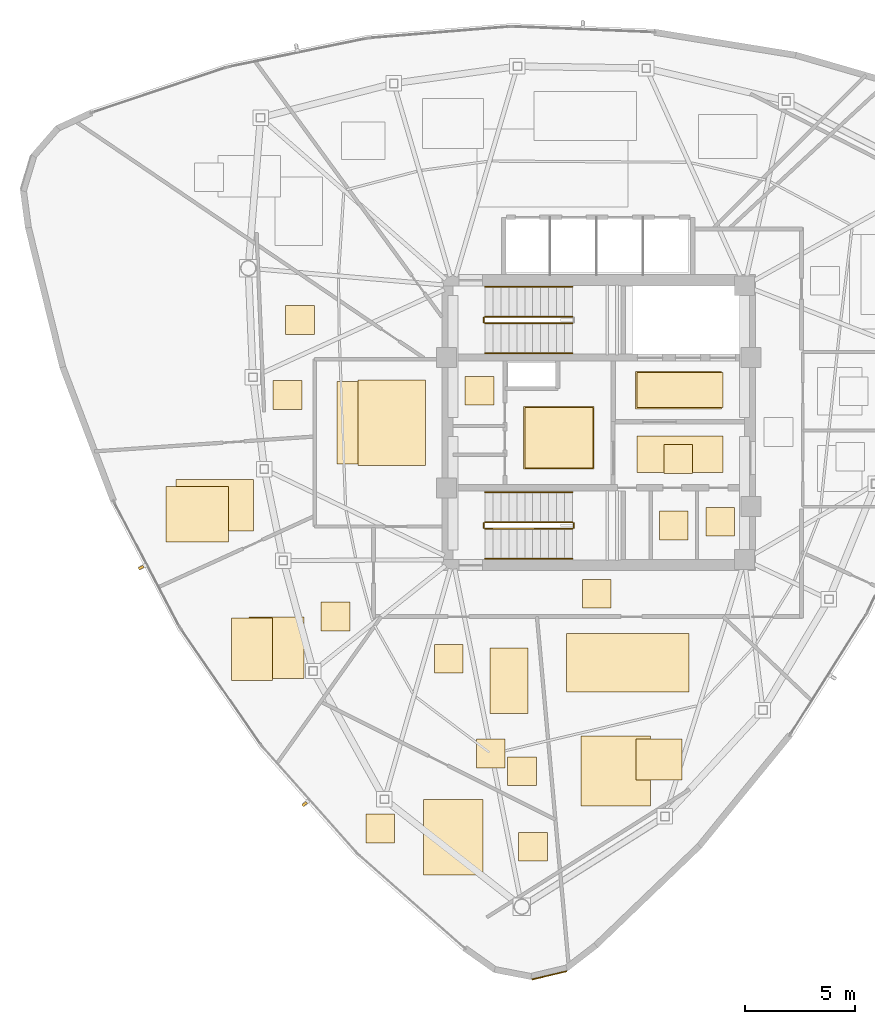
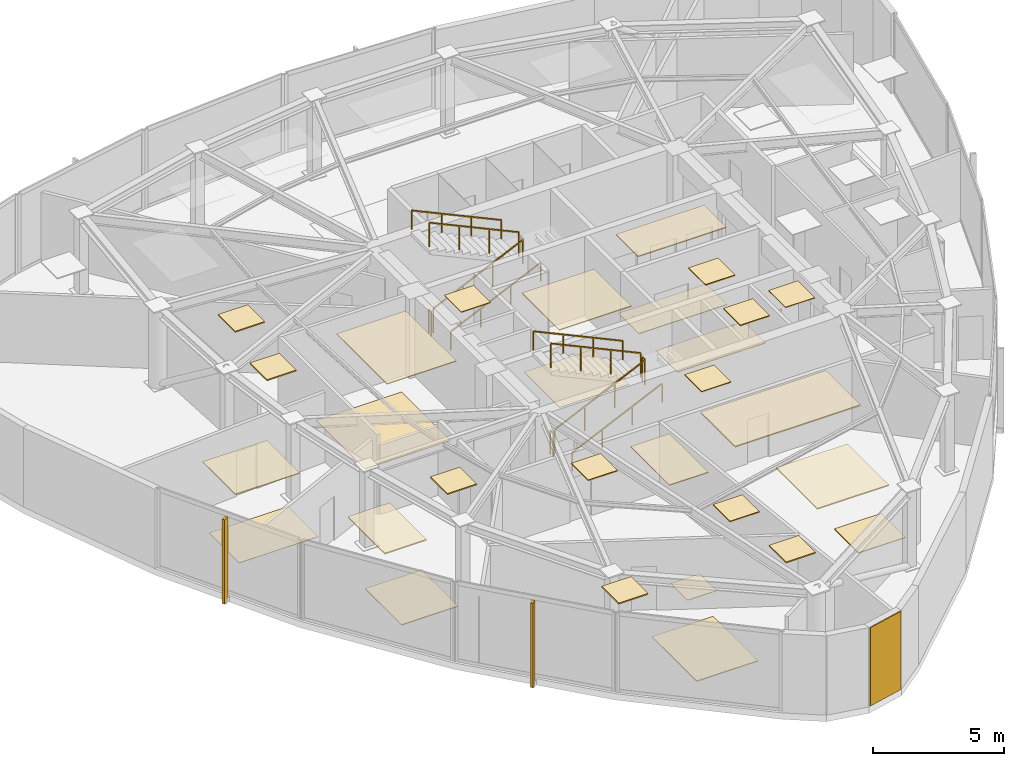
# One storey, part 11 of 13: 30 coverings, 11 railings, 2 shading devices.
"""IFC4 building model written with IfcOpenShell, lengths in metres."""

from ifc_helpers import new_model, si_unit, direction, frame, origin, origin_2d, place, context, subcontext, project, spatial, polyline, rectangle, outline, extrude, source, transform, mapped, material, layer, layer_set, type_object, type_shapes, element, save


model = new_model("IFC4")

# Units and contexts
model_context = context("Model", 3, precision=1e-05, world=origin(), true_north=direction((0.0, 1.0)))
body_context = subcontext(model_context, "Body", "Model", "MODEL_VIEW")
ifc_project = project(units=[si_unit("LENGTHUNIT", "METRE"), si_unit("AREAUNIT", "SQUARE_METRE"), si_unit("VOLUMEUNIT", "CUBIC_METRE"), si_unit("PLANEANGLEUNIT", "RADIAN"), si_unit("MASSUNIT", "GRAM", prefix="KILO")], contexts=[model_context])

# Site, building, storey
site_placement = place(None, origin())
site = spatial("IfcSite", under=ifc_project, at=site_placement, CompositionType="ELEMENT")
building_placement = place(site_placement, origin())
building = spatial("IfcBuilding", under=site, at=building_placement, Name="Tavelor Broadcast Tower", CompositionType="ELEMENT")
storey_placement = place(building_placement, frame((0.0, 0.0, 301.5)))
storey = spatial("IfcBuildingStorey", under=building, at=storey_placement, Name="L72", CompositionType="ELEMENT", Elevation=301.5)

# Coverings
ifc_material_1 = material(Name="Copper-Bronze Anodized Aluminium", Category="aluminium")
ifc_layer_1 = layer(ifc_material_1, 0.044921875)
ifc_layer_set_1 = layer_set([ifc_layer_1], Name="Copper-Bronze Anodized Aluminium")
covering_type_1 = type_object("IfcCoveringType", Name="Anodised Bronze Linear Slatted Concourse Ceiling 45 mm", PredefinedType="CEILING", material=ifc_layer_set_1)
covering_1_placement = place(storey_placement, frame((0.0, 0.0, 3.655029296875)))
element("IfcCovering", 1, at=covering_1_placement, inside=storey, type_object=covering_type_1, Name="L72 Suspended Acoustic Ceiling 2731", PredefinedType="CEILING", context=body_context, shape_type="SweptSolid", body=[
    extrude(outline(polyline([(51.659912109375, 45.6318359375), (55.55712890625, 45.6318359375), (55.55712890625, 47.328125), (51.659912109375, 47.328125), (51.659912109375, 45.6318359375)])), origin(), (0.0, 0.0, 1.0), 0.044921875),
])
covering_2_placement = place(storey_placement, frame((0.0, 0.0, 3.655029296875)))
element("IfcCovering", 2, at=covering_2_placement, inside=storey, type_object=covering_type_1, Name="L72 Suspended Acoustic Ceiling 2732", PredefinedType="CEILING", context=body_context, shape_type="SweptSolid", body=[
    extrude(outline(polyline([(52.95361328125, 42.705078125), (54.25341796875, 42.705078125), (54.25341796875, 44.0048828125), (52.95361328125, 44.0048828125), (52.95361328125, 42.705078125)])), origin(), (0.0, 0.0, 1.0), 0.044921875),
])
ifc_layer_2 = layer(ifc_material_1, 0.050048828125)
ifc_layer_set_2 = layer_set([ifc_layer_2], Name="Copper-Bronze Anodized Aluminium")
covering_type_2 = type_object("IfcCoveringType", Name="Champagne-Bronze Corner Pier Metal Cladding 50 mm", PredefinedType="CLADDING", material=ifc_layer_set_2)
covering_3_placement = place(storey_placement, frame((47.7607421875, 19.980712890625, 0.02001953125), z_axis=(0.0, 0.0, 1.0), x_axis=(0.972977745976, 0.230898908261, 0.0)))
element("IfcCovering", 3, at=covering_3_placement, inside=storey, type_object=covering_type_2, Name="L72 Champagne-Bronze Corner Cladding 13", PredefinedType="CLADDING", context=body_context, shape_type="SweptSolid", body=[
    extrude(rectangle(XDim=1.611572265625, YDim=0.050048828125, at=origin_2d()), origin(), (0.0, 0.0, 1.0), 3.659912109375),
])

# Railings
ifc_material_2 = material(Name="Steel S355", Category="steel")
railing_type_1 = type_object("IfcRailingType", Name="Continuous Brushed Stainless Handrail 900 mm", PredefinedType="HANDRAIL", material=ifc_material_2)
railing_1_placement = place(storey_placement, frame((44.85009765625, 48.14990234375, 0.166748046875)))
element("IfcRailing", 4, at=railing_1_placement, inside=storey, type_object=railing_type_1, Name="L72 ST1 stair handrail 1", PredefinedType="HANDRAIL", context=body_context, shape_type="SweptSolid", body=[
    extrude(rectangle(XDim=0.048095703125, YDim=0.048095703125, at=origin_2d()), frame((0.0, 0.0, 0.8759765625), z_axis=(0.907472437036, 0.0, 0.420111623286), x_axis=(0.0, 1.0, 0.0)), (0.0, 0.0, 1.0), 4.36376953125),
    extrude(rectangle(XDim=0.0419921875, YDim=0.0419921875, at=origin_2d()), origin(), (0.0, 0.0, 1.0), 0.851806640625),
    extrude(rectangle(XDim=0.0419921875, YDim=0.0419921875, at=origin_2d()), frame((1.320068359375, 0.0, 0.611083984375)), (0.0, 0.0, 1.0), 0.851806640625),
    extrude(rectangle(XDim=0.0419921875, YDim=0.0419921875, at=origin_2d()), frame((2.639892578125, 0.0, 1.22216796875)), (0.0, 0.0, 1.0), 0.851806640625),
    extrude(rectangle(XDim=0.0419921875, YDim=0.0419921875, at=origin_2d()), frame((3.9599609375, 0.0, 1.833251953125)), (0.0, 0.0, 1.0), 0.851806640625),
])
railing_2_placement = place(storey_placement, frame((48.81005859375, 51.14990234375, 2.166748046875)))
element("IfcRailing", 5, at=railing_2_placement, inside=storey, type_object=railing_type_1, Name="L72 ST1 stair handrail 2", PredefinedType="HANDRAIL", context=body_context, shape_type="SweptSolid", body=[
    extrude(rectangle(XDim=0.048095703125, YDim=0.048095703125, at=origin_2d()), frame((0.0, 0.0, 0.8759765625), z_axis=(-0.907472437036, 0.0, 0.420111623286), x_axis=(0.0, -1.0, 0.0)), (0.0, 0.0, 1.0), 4.36376953125),
    extrude(rectangle(XDim=0.0419921875, YDim=0.0419921875, at=origin_2d()), origin(), (0.0, 0.0, 1.0), 0.851806640625),
    extrude(rectangle(XDim=0.0419921875, YDim=0.0419921875, at=origin_2d()), frame((-1.320068359375, 0.0, 0.611083984375)), (0.0, 0.0, 1.0), 0.851806640625),
    extrude(rectangle(XDim=0.0419921875, YDim=0.0419921875, at=origin_2d()), frame((-2.639892578125, 0.0, 1.22216796875)), (0.0, 0.0, 1.0), 0.851806640625),
    extrude(rectangle(XDim=0.0419921875, YDim=0.0419921875, at=origin_2d()), frame((-3.9599609375, 0.0, 1.833251953125)), (0.0, 0.0, 1.0), 0.851806640625),
])
railing_3_placement = place(storey_placement, frame((44.85009765625, 38.85009765625, 0.166748046875)))
element("IfcRailing", 6, at=railing_3_placement, inside=storey, type_object=railing_type_1, Name="L72 ST2 stair handrail 1", PredefinedType="HANDRAIL", context=body_context, shape_type="SweptSolid", body=[
    extrude(rectangle(XDim=0.048095703125, YDim=0.048095703125, at=origin_2d()), frame((0.0, 0.0, 0.8759765625), z_axis=(0.907472437036, 0.0, 0.420111623286), x_axis=(0.0, 1.0, 0.0)), (0.0, 0.0, 1.0), 4.36376953125),
    extrude(rectangle(XDim=0.0419921875, YDim=0.0419921875, at=origin_2d()), origin(), (0.0, 0.0, 1.0), 0.851806640625),
    extrude(rectangle(XDim=0.0419921875, YDim=0.0419921875, at=origin_2d()), frame((1.320068359375, 0.0, 0.611083984375)), (0.0, 0.0, 1.0), 0.851806640625),
    extrude(rectangle(XDim=0.0419921875, YDim=0.0419921875, at=origin_2d()), frame((2.639892578125, 0.0, 1.22216796875)), (0.0, 0.0, 1.0), 0.851806640625),
    extrude(rectangle(XDim=0.0419921875, YDim=0.0419921875, at=origin_2d()), frame((3.9599609375, 0.0, 1.833251953125)), (0.0, 0.0, 1.0), 0.851806640625),
])
railing_4_placement = place(storey_placement, frame((48.81005859375, 41.85009765625, 2.166748046875)))
element("IfcRailing", 7, at=railing_4_placement, inside=storey, type_object=railing_type_1, Name="L72 ST2 stair handrail 2", PredefinedType="HANDRAIL", context=body_context, shape_type="SweptSolid", body=[
    extrude(rectangle(XDim=0.048095703125, YDim=0.048095703125, at=origin_2d()), frame((0.0, 0.0, 0.8759765625), z_axis=(-0.907472437036, 0.0, 0.420111623286), x_axis=(0.0, -1.0, 0.0)), (0.0, 0.0, 1.0), 4.36376953125),
    extrude(rectangle(XDim=0.0419921875, YDim=0.0419921875, at=origin_2d()), origin(), (0.0, 0.0, 1.0), 0.851806640625),
    extrude(rectangle(XDim=0.0419921875, YDim=0.0419921875, at=origin_2d()), frame((-1.320068359375, 0.0, 0.611083984375)), (0.0, 0.0, 1.0), 0.851806640625),
    extrude(rectangle(XDim=0.0419921875, YDim=0.0419921875, at=origin_2d()), frame((-2.639892578125, 0.0, 1.22216796875)), (0.0, 0.0, 1.0), 0.851806640625),
    extrude(rectangle(XDim=0.0419921875, YDim=0.0419921875, at=origin_2d()), frame((-3.9599609375, 0.0, 1.833251953125)), (0.0, 0.0, 1.0), 0.851806640625),
])

# Coverings
ifc_material_3 = material(Name="Architectural Anodized Aluminium", Category="aluminium")
ifc_layer_3 = layer(ifc_material_3, 0.034912109375)
ifc_layer_set_3 = layer_set([ifc_layer_3], Name="Architectural Anodized Aluminium")
covering_type_3 = type_object("IfcCoveringType", Name="Demountable Metal Tile Corridor Ceiling 35 mm", PredefinedType="CEILING", material=ifc_layer_set_3)
covering_4_placement = place(storey_placement, frame((0.0, 0.0, 3.6650390625)))
element("IfcCovering", 8, at=covering_4_placement, inside=storey, type_object=covering_type_3, Name="L72 Suspended Acoustic Ceiling 2738", PredefinedType="CEILING", context=body_context, shape_type="SweptSolid", body=[
    extrude(outline(polyline([(49.261474609375, 36.610107421875), (50.5615234375, 36.610107421875), (50.5615234375, 37.909912109375), (49.261474609375, 37.909912109375), (49.261474609375, 36.610107421875)])), origin(), (0.0, 0.0, 1.0), 0.034912109375),
])
ifc_material_4 = material(Name="Acoustic Nylon Carpet Tile")
ifc_layer_4 = layer(ifc_material_4, 0.02001953125)
ifc_layer_set_4 = layer_set([ifc_layer_4], Name="Acoustic Nylon Carpet Tile")
covering_type_4 = type_object("IfcCoveringType", Name="Heavy-Duty Acoustic Broadcast Carpet Tile 20 mm", PredefinedType="FLOORING", material=ifc_layer_set_4)
covering_5_placement = place(storey_placement, origin())
element("IfcCovering", 9, at=covering_5_placement, inside=storey, type_object=covering_type_4, Name="L72 Broadcast Floor Finish 1071", PredefinedType="FLOORING", context=body_context, shape_type="SweptSolid", body=[
    extrude(outline(polyline([(46.6591796875, 42.953369140625), (49.730712890625, 42.953369140625), (49.730712890625, 45.6865234375), (46.6591796875, 45.6865234375), (46.6591796875, 42.953369140625)])), origin(), (0.0, 0.0, 1.0), 0.02001953125),
])
covering_6_placement = place(storey_placement, origin())
element("IfcCovering", 10, at=covering_6_placement, inside=storey, type_object=covering_type_4, Name="L72 Broadcast Floor Finish 1073", PredefinedType="FLOORING", context=body_context, shape_type="SweptSolid", body=[
    extrude(outline(polyline([(38.15771484375, 43.12890625), (41.942138671875, 43.12890625), (41.942138671875, 46.87060546875), (38.15771484375, 46.87060546875), (38.15771484375, 43.12890625)])), origin(), (0.0, 0.0, 1.0), 0.02001953125),
])
covering_7_placement = place(storey_placement, origin())
element("IfcCovering", 11, at=covering_7_placement, inside=storey, type_object=covering_type_4, Name="L72 Broadcast Floor Finish 1079", PredefinedType="FLOORING", context=body_context, shape_type="SweptSolid", body=[
    extrude(outline(polyline([(30.86328125, 40.106689453125), (34.362060546875, 40.106689453125), (34.362060546875, 42.42919921875), (30.86328125, 42.42919921875), (30.86328125, 40.106689453125)])), origin(), (0.0, 0.0, 1.0), 0.02001953125),
])
covering_8_placement = place(storey_placement, origin())
element("IfcCovering", 12, at=covering_8_placement, inside=storey, type_object=covering_type_4, Name="L72 Broadcast Floor Finish 1083", PredefinedType="FLOORING", context=body_context, shape_type="SweptSolid", body=[
    extrude(outline(polyline([(44.461181640625, 29.37890625), (45.76123046875, 29.37890625), (45.76123046875, 30.678955078125), (44.461181640625, 30.678955078125), (44.461181640625, 29.37890625)])), origin(), (0.0, 0.0, 1.0), 0.02001953125),
])
ifc_material_5 = material(Name="Honed Natural Limestone Tile", Category="masonry")
ifc_layer_5 = layer(ifc_material_5, 0.030029296875)
ifc_layer_set_5 = layer_set([ifc_layer_5], Name="Honed Natural Limestone Tile")
covering_type_5 = type_object("IfcCoveringType", Name="Honed Jerusalem Limestone Concourse Flooring 30 mm", PredefinedType="FLOORING", material=ifc_layer_set_5)
covering_9_placement = place(storey_placement, origin())
element("IfcCovering", 13, at=covering_9_placement, inside=storey, type_object=covering_type_5, Name="L72 Broadcast Floor Finish 1069", PredefinedType="FLOORING", context=body_context, shape_type="SweptSolid", body=[
    extrude(outline(polyline([(51.7373046875, 45.689453125), (55.62255859375, 45.689453125), (55.62255859375, 47.2705078125), (51.7373046875, 47.2705078125), (51.7373046875, 45.689453125)])), origin(), (0.0, 0.0, 1.0), 0.030029296875),
])
covering_10_placement = place(storey_placement, origin())
element("IfcCovering", 14, at=covering_10_placement, inside=storey, type_object=covering_type_5, Name="L72 Broadcast Floor Finish 1070", PredefinedType="FLOORING", context=body_context, shape_type="SweptSolid", body=[
    extrude(outline(polyline([(51.728759765625, 42.743408203125), (55.62109375, 42.743408203125), (55.62109375, 44.396484375), (51.728759765625, 44.396484375), (51.728759765625, 42.743408203125)])), origin(), (0.0, 0.0, 1.0), 0.030029296875),
])
ifc_material_6 = material(Name="Acoustic Hardwood Studio Flooring", Category="wood")
ifc_layer_6 = layer(ifc_material_6, 0.034912109375)
ifc_layer_set_6 = layer_set([ifc_layer_6], Name="Acoustic Hardwood Studio Flooring")
covering_type_6 = type_object("IfcCoveringType", Name="Isolated Studio Acoustic Elastomeric Floor Finish 35 mm", PredefinedType="FLOORING", material=ifc_layer_set_6)
covering_11_placement = place(storey_placement, origin())
element("IfcCovering", 15, at=covering_11_placement, inside=storey, type_object=covering_type_6, Name="L72 Broadcast Floor Finish 1076", PredefinedType="FLOORING", context=body_context, shape_type="SweptSolid", body=[
    extrude(outline(polyline([(51.693115234375, 28.8330078125), (53.765869140625, 28.8330078125), (53.765869140625, 30.67919921875), (51.693115234375, 30.67919921875), (51.693115234375, 28.8330078125)])), origin(), (0.0, 0.0, 1.0), 0.034912109375),
])
covering_12_placement = place(storey_placement, origin())
element("IfcCovering", 16, at=covering_12_placement, inside=storey, type_object=covering_type_6, Name="L72 Broadcast Floor Finish 1077", PredefinedType="FLOORING", context=body_context, shape_type="SweptSolid", body=[
    extrude(outline(polyline([(42.065185546875, 24.5244140625), (44.769287109375, 24.5244140625), (44.769287109375, 27.95068359375), (42.065185546875, 27.95068359375), (42.065185546875, 24.5244140625)])), origin(), (0.0, 0.0, 1.0), 0.034912109375),
])
covering_13_placement = place(storey_placement, origin())
element("IfcCovering", 17, at=covering_13_placement, inside=storey, type_object=covering_type_6, Name="L72 Broadcast Floor Finish 1078", PredefinedType="FLOORING", context=body_context, shape_type="SweptSolid", body=[
    extrude(outline(polyline([(34.169677734375, 33.415283203125), (36.665771484375, 33.415283203125), (36.665771484375, 36.20947265625), (34.169677734375, 36.20947265625), (34.169677734375, 33.415283203125)])), origin(), (0.0, 0.0, 1.0), 0.034912109375),
])
ifc_material_7 = material(Name="Acoustic Perforated Timber Baffle", Category="wood")
ifc_layer_7 = layer(ifc_material_7, 0.054931640625)
ifc_layer_set_7 = layer_set([ifc_layer_7], Name="Acoustic Perforated Timber Baffle")
covering_type_7 = type_object("IfcCoveringType", Name="Micro-Perforated Acoustic Baffle Studio Ceiling 55 mm", PredefinedType="CEILING", material=ifc_layer_set_7)
covering_14_placement = place(storey_placement, frame((0.0, 0.0, 3.64501953125)))
element("IfcCovering", 18, at=covering_14_placement, inside=storey, type_object=covering_type_7, Name="L72 Suspended Acoustic Ceiling 2742", PredefinedType="CEILING", context=body_context, shape_type="SweptSolid", body=[
    extrude(outline(polyline([(49.193115234375, 27.646728515625), (52.347900390625, 27.646728515625), (52.347900390625, 30.807373046875), (49.193115234375, 30.807373046875), (49.193115234375, 27.646728515625)])), origin(), (0.0, 0.0, 1.0), 0.054931640625),
])
covering_15_placement = place(storey_placement, frame((0.0, 0.0, 3.64501953125)))
element("IfcCovering", 19, at=covering_15_placement, inside=storey, type_object=covering_type_7, Name="L72 Suspended Acoustic Ceiling 2743", PredefinedType="CEILING", context=body_context, shape_type="SweptSolid", body=[
    extrude(outline(polyline([(48.537353515625, 32.802978515625), (54.078857421875, 32.802978515625), (54.078857421875, 35.45703125), (48.537353515625, 35.45703125), (48.537353515625, 32.802978515625)])), origin(), (0.0, 0.0, 1.0), 0.054931640625),
])
covering_16_placement = place(storey_placement, frame((0.0, 0.0, 3.64501953125)))
element("IfcCovering", 20, at=covering_16_placement, inside=storey, type_object=covering_type_7, Name="L72 Suspended Acoustic Ceiling 2744", PredefinedType="CEILING", context=body_context, shape_type="SweptSolid", body=[
    extrude(outline(polyline([(39.462158203125, 25.9794921875), (40.76220703125, 25.9794921875), (40.76220703125, 27.279541015625), (39.462158203125, 27.279541015625), (39.462158203125, 25.9794921875)])), origin(), (0.0, 0.0, 1.0), 0.054931640625),
])
covering_17_placement = place(storey_placement, frame((0.0, 0.0, 3.64501953125)))
element("IfcCovering", 21, at=covering_17_placement, inside=storey, type_object=covering_type_7, Name="L72 Suspended Acoustic Ceiling 2745", PredefinedType="CEILING", context=body_context, shape_type="SweptSolid", body=[
    extrude(outline(polyline([(46.37255859375, 25.149169921875), (47.672607421875, 25.149169921875), (47.672607421875, 26.44921875), (46.37255859375, 26.44921875), (46.37255859375, 25.149169921875)])), origin(), (0.0, 0.0, 1.0), 0.054931640625),
])
covering_18_placement = place(storey_placement, frame((0.0, 0.0, 3.64501953125)))
element("IfcCovering", 22, at=covering_18_placement, inside=storey, type_object=covering_type_7, Name="L72 Suspended Acoustic Ceiling 2746", PredefinedType="CEILING", context=body_context, shape_type="SweptSolid", body=[
    extrude(outline(polyline([(33.376708984375, 33.329345703125), (35.229736328125, 33.329345703125), (35.229736328125, 36.158447265625), (33.376708984375, 36.158447265625), (33.376708984375, 33.329345703125)])), origin(), (0.0, 0.0, 1.0), 0.054931640625),
])
covering_19_placement = place(storey_placement, frame((0.0, 0.0, 3.64501953125)))
element("IfcCovering", 23, at=covering_19_placement, inside=storey, type_object=covering_type_7, Name="L72 Suspended Acoustic Ceiling 2747", PredefinedType="CEILING", context=body_context, shape_type="SweptSolid", body=[
    extrude(outline(polyline([(37.435546875, 35.577392578125), (38.735595703125, 35.577392578125), (38.735595703125, 36.877197265625), (37.435546875, 36.877197265625), (37.435546875, 35.577392578125)])), origin(), (0.0, 0.0, 1.0), 0.054931640625),
])
covering_20_placement = place(storey_placement, frame((0.0, 0.0, 3.64501953125)))
element("IfcCovering", 24, at=covering_20_placement, inside=storey, type_object=covering_type_7, Name="L72 Suspended Acoustic Ceiling 2749", PredefinedType="CEILING", context=body_context, shape_type="SweptSolid", body=[
    extrude(outline(polyline([(35.8232421875, 49.002197265625), (37.123291015625, 49.002197265625), (37.123291015625, 50.30224609375), (35.8232421875, 50.30224609375), (35.8232421875, 49.002197265625)])), origin(), (0.0, 0.0, 1.0), 0.054931640625),
])
covering_21_placement = place(storey_placement, frame((0.0, 0.0, 3.64501953125)))
element("IfcCovering", 25, at=covering_21_placement, inside=storey, type_object=covering_type_7, Name="L72 Suspended Acoustic Ceiling 2750", PredefinedType="CEILING", context=body_context, shape_type="SweptSolid", body=[
    extrude(outline(polyline([(35.258056640625, 45.60009765625), (36.55810546875, 45.60009765625), (36.55810546875, 46.900146484375), (35.258056640625, 46.900146484375), (35.258056640625, 45.60009765625)])), origin(), (0.0, 0.0, 1.0), 0.054931640625),
])
ifc_layer_8 = layer(ifc_material_3, 0.030029296875)
ifc_layer_set_8 = layer_set([ifc_layer_8], Name="Architectural Anodized Aluminium")
covering_type_8 = type_object("IfcCoveringType", Name="Moisture-Resistant Washroom Ceiling 30 mm", PredefinedType="CEILING", material=ifc_layer_set_8)
covering_22_placement = place(storey_placement, frame((0.0, 0.0, 3.669921875)))
element("IfcCovering", 26, at=covering_22_placement, inside=storey, type_object=covering_type_8, Name="L72 Suspended Acoustic Ceiling 2735", PredefinedType="CEILING", context=body_context, shape_type="SweptSolid", body=[
    extrude(outline(polyline([(54.843505859375, 39.866455078125), (56.1435546875, 39.866455078125), (56.1435546875, 41.16650390625), (54.843505859375, 41.16650390625), (54.843505859375, 39.866455078125)])), origin(), (0.0, 0.0, 1.0), 0.030029296875),
])
covering_23_placement = place(storey_placement, frame((0.0, 0.0, 3.669921875)))
element("IfcCovering", 27, at=covering_23_placement, inside=storey, type_object=covering_type_8, Name="L72 Suspended Acoustic Ceiling 2736", PredefinedType="CEILING", context=body_context, shape_type="SweptSolid", body=[
    extrude(outline(polyline([(43.951416015625, 45.794921875), (45.25146484375, 45.794921875), (45.25146484375, 47.094970703125), (43.951416015625, 47.094970703125), (43.951416015625, 45.794921875)])), origin(), (0.0, 0.0, 1.0), 0.030029296875),
])

# Railings
railing_type_2 = type_object("IfcRailingType", Name="Stairwell Steel Safety Guardrail 1150 mm", PredefinedType="GUARDRAIL", material=ifc_material_2)
railing_5_placement = place(storey_placement, frame((44.85009765625, 49.5, 0.166748046875)))
element("IfcRailing", 28, at=railing_5_placement, inside=storey, type_object=railing_type_2, Name="L72 ST1 stair guard 1", PredefinedType="GUARDRAIL", context=body_context, shape_type="SweptSolid", body=[
    extrude(rectangle(XDim=0.048095703125, YDim=0.048095703125, at=origin_2d()), frame((0.0, 0.0, 1.1259765625), z_axis=(0.907472437036, 0.0, 0.420111623286), x_axis=(0.0, 1.0, 0.0)), (0.0, 0.0, 1.0), 4.36376953125),
    extrude(rectangle(XDim=0.0419921875, YDim=0.0419921875, at=origin_2d()), origin(), (0.0, 0.0, 1.0), 1.101806640625),
    extrude(rectangle(XDim=0.0419921875, YDim=0.0419921875, at=origin_2d()), frame((1.320068359375, 0.0, 0.611083984375)), (0.0, 0.0, 1.0), 1.101806640625),
    extrude(rectangle(XDim=0.0419921875, YDim=0.0419921875, at=origin_2d()), frame((2.639892578125, 0.0, 1.22216796875)), (0.0, 0.0, 1.0), 1.101806640625),
    extrude(rectangle(XDim=0.0419921875, YDim=0.0419921875, at=origin_2d()), frame((3.9599609375, 0.0, 1.833251953125)), (0.0, 0.0, 1.0), 1.101806640625),
])
railing_6_placement = place(storey_placement, frame((48.81005859375, 49.800048828125, 2.166748046875)))
element("IfcRailing", 29, at=railing_6_placement, inside=storey, type_object=railing_type_2, Name="L72 ST1 stair guard 3", PredefinedType="GUARDRAIL", context=body_context, shape_type="SweptSolid", body=[
    extrude(rectangle(XDim=0.048095703125, YDim=0.048095703125, at=origin_2d()), frame((0.0, 0.0, 1.1259765625), z_axis=(-0.907472437036, 0.0, 0.420111623286), x_axis=(0.0, -1.0, 0.0)), (0.0, 0.0, 1.0), 4.36376953125),
    extrude(rectangle(XDim=0.0419921875, YDim=0.0419921875, at=origin_2d()), origin(), (0.0, 0.0, 1.0), 1.101806640625),
    extrude(rectangle(XDim=0.0419921875, YDim=0.0419921875, at=origin_2d()), frame((-1.320068359375, 0.0, 0.611083984375)), (0.0, 0.0, 1.0), 1.101806640625),
    extrude(rectangle(XDim=0.0419921875, YDim=0.0419921875, at=origin_2d()), frame((-2.639892578125, 0.0, 1.22216796875)), (0.0, 0.0, 1.0), 1.101806640625),
    extrude(rectangle(XDim=0.0419921875, YDim=0.0419921875, at=origin_2d()), frame((-3.9599609375, 0.0, 1.833251953125)), (0.0, 0.0, 1.0), 1.101806640625),
])
railing_7_placement = place(storey_placement, frame((44.800048828125, 49.550048828125, 0.0)))
element("IfcRailing", 30, at=railing_7_placement, inside=storey, type_object=railing_type_2, Name="L72 ST1 stair guard 4", PredefinedType="GUARDRAIL", context=body_context, shape_type="SweptSolid", body=[
    extrude(rectangle(XDim=0.048095703125, YDim=0.048095703125, at=origin_2d()), frame((0.0, 0.0, 1.1259765625), z_axis=(0.0, 1.0, 0.0), x_axis=(-1.0, 0.0, 0.0)), (0.0, 0.0, 1.0), 0.199951171875),
    extrude(rectangle(XDim=0.0419921875, YDim=0.0419921875, at=origin_2d()), origin(), (0.0, 0.0, 1.0), 1.101806640625),
    extrude(rectangle(XDim=0.0419921875, YDim=0.0419921875, at=origin_2d()), frame((0.0, 0.199951171875, 0.0)), (0.0, 0.0, 1.0), 1.101806640625),
])
railing_8_placement = place(storey_placement, frame((44.85009765625, 40.199951171875, 0.166748046875)))
element("IfcRailing", 31, at=railing_8_placement, inside=storey, type_object=railing_type_2, Name="L72 ST2 stair guard 1", PredefinedType="GUARDRAIL", context=body_context, shape_type="SweptSolid", body=[
    extrude(rectangle(XDim=0.048095703125, YDim=0.048095703125, at=origin_2d()), frame((0.0, 0.0, 1.1259765625), z_axis=(0.907472437036, 0.0, 0.420111623286), x_axis=(0.0, 1.0, 0.0)), (0.0, 0.0, 1.0), 4.36376953125),
    extrude(rectangle(XDim=0.0419921875, YDim=0.0419921875, at=origin_2d()), origin(), (0.0, 0.0, 1.0), 1.101806640625),
    extrude(rectangle(XDim=0.0419921875, YDim=0.0419921875, at=origin_2d()), frame((1.320068359375, 0.0, 0.611083984375)), (0.0, 0.0, 1.0), 1.101806640625),
    extrude(rectangle(XDim=0.0419921875, YDim=0.0419921875, at=origin_2d()), frame((2.639892578125, 0.0, 1.22216796875)), (0.0, 0.0, 1.0), 1.101806640625),
    extrude(rectangle(XDim=0.0419921875, YDim=0.0419921875, at=origin_2d()), frame((3.9599609375, 0.0, 1.833251953125)), (0.0, 0.0, 1.0), 1.101806640625),
])
railing_9_placement = place(storey_placement, frame((48.860107421875, 40.25, 2.0)))
element("IfcRailing", 32, at=railing_9_placement, inside=storey, type_object=railing_type_2, Name="L72 ST2 stair guard 2", PredefinedType="GUARDRAIL", context=body_context, shape_type="SweptSolid", body=[
    extrude(rectangle(XDim=0.048095703125, YDim=0.048095703125, at=origin_2d()), frame((0.0, 0.0, 1.1259765625), z_axis=(0.0, 1.0, 0.0), x_axis=(-1.0, 0.0, 0.0)), (0.0, 0.0, 1.0), 0.199951171875),
    extrude(rectangle(XDim=0.0419921875, YDim=0.0419921875, at=origin_2d()), origin(), (0.0, 0.0, 1.0), 1.101806640625),
    extrude(rectangle(XDim=0.0419921875, YDim=0.0419921875, at=origin_2d()), frame((0.0, 0.199951171875, 0.0)), (0.0, 0.0, 1.0), 1.101806640625),
])
railing_10_placement = place(storey_placement, frame((48.81005859375, 40.5, 2.166748046875)))
element("IfcRailing", 33, at=railing_10_placement, inside=storey, type_object=railing_type_2, Name="L72 ST2 stair guard 3", PredefinedType="GUARDRAIL", context=body_context, shape_type="SweptSolid", body=[
    extrude(rectangle(XDim=0.048095703125, YDim=0.048095703125, at=origin_2d()), frame((0.0, 0.0, 1.1259765625), z_axis=(-0.907472437036, 0.0, 0.420111623286), x_axis=(0.0, -1.0, 0.0)), (0.0, 0.0, 1.0), 4.36376953125),
    extrude(rectangle(XDim=0.0419921875, YDim=0.0419921875, at=origin_2d()), origin(), (0.0, 0.0, 1.0), 1.101806640625),
    extrude(rectangle(XDim=0.0419921875, YDim=0.0419921875, at=origin_2d()), frame((-1.320068359375, 0.0, 0.611083984375)), (0.0, 0.0, 1.0), 1.101806640625),
    extrude(rectangle(XDim=0.0419921875, YDim=0.0419921875, at=origin_2d()), frame((-2.639892578125, 0.0, 1.22216796875)), (0.0, 0.0, 1.0), 1.101806640625),
    extrude(rectangle(XDim=0.0419921875, YDim=0.0419921875, at=origin_2d()), frame((-3.9599609375, 0.0, 1.833251953125)), (0.0, 0.0, 1.0), 1.101806640625),
])
railing_11_placement = place(storey_placement, frame((44.800048828125, 40.25, 0.0)))
element("IfcRailing", 34, at=railing_11_placement, inside=storey, type_object=railing_type_2, Name="L72 ST2 stair guard 4", PredefinedType="GUARDRAIL", context=body_context, shape_type="SweptSolid", body=[
    extrude(rectangle(XDim=0.048095703125, YDim=0.048095703125, at=origin_2d()), frame((0.0, 0.0, 1.1259765625), z_axis=(0.0, 1.0, 0.0), x_axis=(-1.0, 0.0, 0.0)), (0.0, 0.0, 1.0), 0.199951171875),
    extrude(rectangle(XDim=0.0419921875, YDim=0.0419921875, at=origin_2d()), origin(), (0.0, 0.0, 1.0), 1.101806640625),
    extrude(rectangle(XDim=0.0419921875, YDim=0.0419921875, at=origin_2d()), frame((0.0, 0.199951171875, 0.0)), (0.0, 0.0, 1.0), 1.101806640625),
])

# Coverings
ifc_material_8 = material(Name="Acoustic Mineral Fibre Tile")
ifc_layer_9 = layer(ifc_material_8, 0.0400390625)
ifc_layer_set_9 = layer_set([ifc_layer_9], Name="Acoustic Mineral Fibre Tile")
covering_type_9 = type_object("IfcCoveringType", Name="Suspended Acoustic Mineral-Fibre Office Ceiling 40 mm", PredefinedType="CEILING", material=ifc_layer_set_9)
covering_24_placement = place(storey_placement, frame((0.0, 0.0, 3.659912109375)))
element("IfcCovering", 35, at=covering_24_placement, inside=storey, type_object=covering_type_9, Name="L72 Suspended Acoustic Ceiling 2733", PredefinedType="CEILING", context=body_context, shape_type="SweptSolid", body=[
    extrude(outline(polyline([(46.6015625, 42.895751953125), (49.788330078125, 42.895751953125), (49.788330078125, 45.744140625), (46.6015625, 45.744140625), (46.6015625, 42.895751953125)])), origin(), (0.0, 0.0, 1.0), 0.0400390625),
])
covering_25_placement = place(storey_placement, frame((0.0, 0.0, 3.659912109375)))
element("IfcCovering", 36, at=covering_25_placement, inside=storey, type_object=covering_type_9, Name="L72 Suspended Acoustic Ceiling 2734", PredefinedType="CEILING", context=body_context, shape_type="SweptSolid", body=[
    extrude(outline(polyline([(52.75, 39.699951171875), (54.050048828125, 39.699951171875), (54.050048828125, 41.0), (52.75, 41.0), (52.75, 39.699951171875)])), origin(), (0.0, 0.0, 1.0), 0.0400390625),
])
covering_26_placement = place(storey_placement, frame((0.0, 0.0, 3.659912109375)))
element("IfcCovering", 37, at=covering_26_placement, inside=storey, type_object=covering_type_9, Name="L72 Suspended Acoustic Ceiling 2739", PredefinedType="CEILING", context=body_context, shape_type="SweptSolid", body=[
    extrude(outline(polyline([(39.10107421875, 43.0712890625), (42.16259765625, 43.0712890625), (42.16259765625, 46.927978515625), (39.10107421875, 46.927978515625), (39.10107421875, 43.0712890625)])), origin(), (0.0, 0.0, 1.0), 0.0400390625),
])
covering_27_placement = place(storey_placement, frame((0.0, 0.0, 3.659912109375)))
element("IfcCovering", 38, at=covering_27_placement, inside=storey, type_object=covering_type_9, Name="L72 Suspended Acoustic Ceiling 2748", PredefinedType="CEILING", context=body_context, shape_type="SweptSolid", body=[
    extrude(outline(polyline([(30.3984375, 39.5966796875), (33.24462890625, 39.5966796875), (33.24462890625, 42.103759765625), (30.3984375, 42.103759765625), (30.3984375, 39.5966796875)])), origin(), (0.0, 0.0, 1.0), 0.0400390625),
])
covering_28_placement = place(storey_placement, frame((0.0, 0.0, 3.659912109375)))
element("IfcCovering", 39, at=covering_28_placement, inside=storey, type_object=covering_type_9, Name="L72 Suspended Acoustic Ceiling 2760", PredefinedType="CEILING", context=body_context, shape_type="SweptSolid", body=[
    extrude(outline(polyline([(42.554443359375, 33.66650390625), (43.8544921875, 33.66650390625), (43.8544921875, 34.966552734375), (42.554443359375, 34.966552734375), (42.554443359375, 33.66650390625)])), origin(), (0.0, 0.0, 1.0), 0.0400390625),
])
covering_29_placement = place(storey_placement, frame((0.0, 0.0, 3.659912109375)))
element("IfcCovering", 40, at=covering_29_placement, inside=storey, type_object=covering_type_9, Name="L72 Suspended Acoustic Ceiling 2761", PredefinedType="CEILING", context=body_context, shape_type="SweptSolid", body=[
    extrude(outline(polyline([(45.077392578125, 31.829345703125), (46.793212890625, 31.829345703125), (46.793212890625, 34.80419921875), (45.077392578125, 34.80419921875), (45.077392578125, 31.829345703125)])), origin(), (0.0, 0.0, 1.0), 0.0400390625),
])
covering_30_placement = place(storey_placement, frame((0.0, 0.0, 3.659912109375)))
element("IfcCovering", 41, at=covering_30_placement, inside=storey, type_object=covering_type_9, Name="L72 Suspended Acoustic Ceiling 2762", PredefinedType="CEILING", context=body_context, shape_type="SweptSolid", body=[
    extrude(outline(polyline([(45.876953125, 28.57666015625), (47.177001953125, 28.57666015625), (47.177001953125, 29.876708984375), (45.876953125, 29.876708984375), (45.876953125, 28.57666015625)])), origin(), (0.0, 0.0, 1.0), 0.0400390625),
])

# Shading devices
ifc_material_9 = material(Name="Kiln-Fired Glazed Terracotta", Category="masonry")
shading_device_type = type_object("IfcShadingDeviceType", Name="Extruded Terracotta Baguette Sun-Screen 110x240", PredefinedType="JALOUSIE", material=ifc_material_9)
shared_shape = source(origin(), body_context, "Body", "SweptSolid", [
    extrude(rectangle(XDim=0.110107421875, YDim=0.239990234375, at=origin_2d()), origin(), (0.0, 0.0, 1.0), 3.93994140625),
])
type_shapes(shading_device_type, [shared_shape])
for number, where, z_axis, x_axis, name in (
    (42, (29.275634765625, 38.44140625, -0.260009765625), (0.0, 0.0, 1.0), (0.465151078077, -0.885231311332, 0.0), "L72 Terracotta Baguette Fin 703"),
    (43, (36.6826171875, 27.734375, -0.260009765625), (0.0, 0.0, 1.0), (0.664317667789, -0.747450357056, 0.0), "L72 Terracotta Baguette Fin 704"),
):
    element("IfcShadingDevice", number, at=place(storey_placement, frame(where, z_axis=z_axis, x_axis=x_axis)), inside=storey, type_object=shading_device_type, Name=name, PredefinedType="JALOUSIE", context=body_context, shape_type="MappedRepresentation", body=[
        mapped(shared_shape, transform((0.0, 0.0, 0.0), scale=1.0)),
    ])

save(model, "model.ifc")
